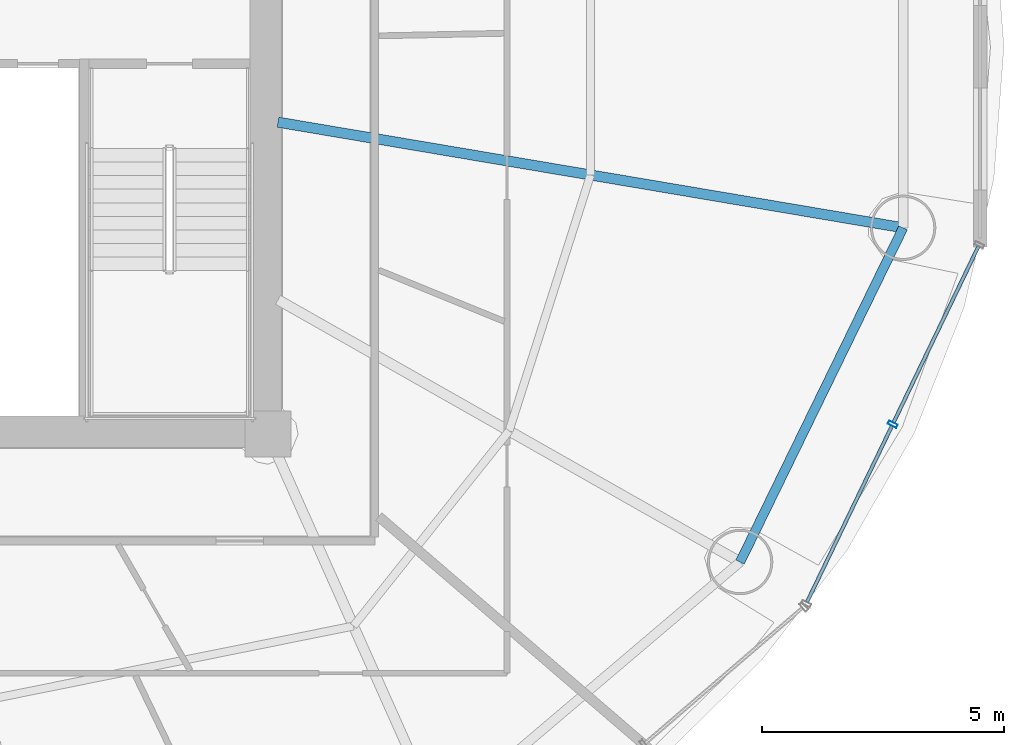
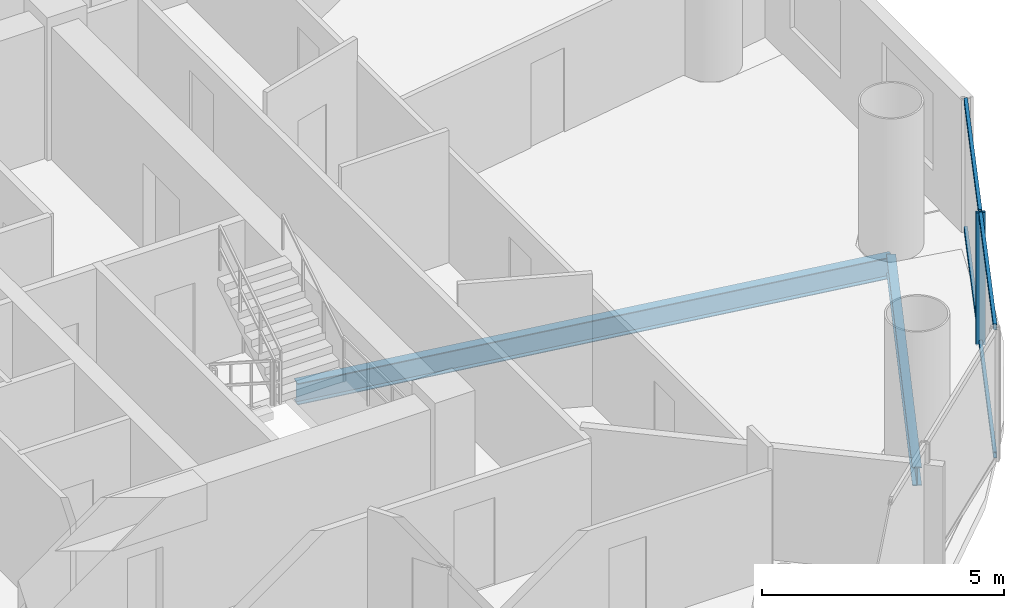
# One storey, part 11 of 27: 5 members, 2 beams, 1 element without a shape of its own.
"""IFC4 building model written with IfcOpenShell, lengths in metres."""

from ifc_helpers import new_model, si_unit, direction, frame, origin, origin_2d, place, context, subcontext, project, spatial, hollow_rectangle, i_section, extrude, source, transform, mapped, material, material_profile, profile_set, type_object, element, aggregate, save


model = new_model("IFC4")

# Units and contexts
model_context = context("Model", 3, precision=1e-05, world=origin(), true_north=direction((-0.2419218956, 0.970295726276)))
body_context = subcontext(model_context, "Body", "Model", "MODEL_VIEW")
ifc_project = project(units=[si_unit("LENGTHUNIT", "METRE"), si_unit("AREAUNIT", "SQUARE_METRE"), si_unit("VOLUMEUNIT", "CUBIC_METRE"), si_unit("PLANEANGLEUNIT", "RADIAN"), si_unit("MASSUNIT", "GRAM", prefix="KILO")], contexts=[model_context])

# Site, building, storey
site_placement = place(None, origin())
site = spatial("IfcSite", under=ifc_project, at=site_placement, CompositionType="ELEMENT")
building_placement = place(site_placement, origin())
building = spatial("IfcBuilding", under=site, at=building_placement, Name="Cobrevalo Terracotta Tower", CompositionType="ELEMENT")
storey_placement = place(building_placement, frame((0.0, 0.0, 146.199951171875)))
storey = spatial("IfcBuildingStorey", under=building, at=storey_placement, Name="L38", CompositionType="ELEMENT", Elevation=146.199951171875)

# Beams
ifc_material_1 = material(Name="Steel S355", Category="steel")
ifc_material_profile_1 = material_profile(ifc_material_1, i_section(OverallWidth=0.2109375, OverallDepth=0.5390625, WebThickness=0.01171875, FlangeThickness=0.018798828125, at=origin_2d()), Name="W 530x109")
ifc_profile_set_1 = profile_set([ifc_material_profile_1], Name="Steel S355")
beam_type_1 = type_object("IfcBeamType", Name="Structural Beam W 530x109 (Steel S355)", PredefinedType="BEAM", material=ifc_profile_set_1)
beam_1_placement = place(storey_placement, frame((60.11669921875, 23.06396484375, -0.53955078125), z_axis=(-0.986029732232, 0.166569406417, 0.0), x_axis=(-0.166569406417, -0.986029732232, 0.0)))
element("IfcBeam", 1, at=beam_1_placement, inside=storey, type_object=beam_type_1, Name="L38 radial floor girder 16", PredefinedType="BEAM", context=body_context, shape_type="SweptSolid", body=[
    extrude(i_section(OverallWidth=0.2109375, OverallDepth=0.5390625, WebThickness=0.01171875, FlangeThickness=0.018798828125, at=origin_2d()), origin(), (0.0, 0.0, 1.0), 13.094482421875),
])
ifc_material_profile_2 = material_profile(ifc_material_1, i_section(OverallWidth=0.194091796875, OverallDepth=0.468994140625, WebThickness=0.011474609375, FlangeThickness=0.0205078125, at=origin_2d()), Name="W 460x106")
ifc_profile_set_2 = profile_set([ifc_material_profile_2], Name="Steel S355")
beam_type_2 = type_object("IfcBeamType", Name="Structural Spandrel W 460x106 (Steel S355)", PredefinedType="SPANDREL", material=ifc_profile_set_2)
beam_2_placement = place(storey_placement, frame((56.749755859375, 16.160888671875, -0.50439453125), z_axis=(0.438380418332, 0.898789524206, 0.0), x_axis=(-0.898789524206, 0.438380418332, 0.0)))
element("IfcBeam", 2, at=beam_2_placement, inside=storey, type_object=beam_type_2, Name="L38 perimeter ring spandrel 15", PredefinedType="SPANDREL", context=body_context, shape_type="SweptSolid", body=[
    extrude(i_section(OverallWidth=0.194091796875, OverallDepth=0.468994140625, WebThickness=0.011474609375, FlangeThickness=0.0205078125, at=origin_2d()), origin(), (0.0, 0.0, 1.0), 7.680419921875),
])

# Curtain wall, members
ifc_material_2 = material(Name="Anodized aluminium", Category="aluminium")
curtain_wall_type = type_object("IfcCurtainWallType", Name="Mid-tower high-wind unitised curtain wall CW-U2", PredefinedType="NOTDEFINED", material=ifc_material_2)
curtain_wall_placement = place(storey_placement, origin())
curtain_wall = element("IfcCurtainWall", 3, at=curtain_wall_placement, inside=storey, type_object=curtain_wall_type, Name="L38 curtain wall CW-L38-S15", PredefinedType="NOTDEFINED")
ifc_material_profile_3 = material_profile(ifc_material_2, hollow_rectangle(XDim=0.074951171875, YDim=0.199951171875, WallThickness=0.0048828125, at=origin_2d()), Name="CWM 75x200")
ifc_profile_set_3 = profile_set([ifc_material_profile_3], Name="Anodized aluminium")
member_type_1 = type_object("IfcMemberType", Name="Lower/mid tower unitised mullion 75x200", PredefinedType="MULLION", material=ifc_profile_set_3)
shared_shape_1 = source(origin(), body_context, "Body", "SweptSolid", [
    extrude(hollow_rectangle(XDim=0.074951171875, YDim=0.199951171875, WallThickness=0.0048828125, at=origin_2d()), origin(), (0.0, 0.0, 1.0), 3.330078125),
])
member_1_placement = place(storey_placement, frame((59.901123046875, 19.00439453125, 0.0), z_axis=(0.0, 0.0, 1.0), x_axis=(0.434209440271, 0.900811945957, 0.0)))
member_1 = element("IfcMember", 4, at=member_1_placement, type_object=member_type_1, Name="CW-L38-S15 vertical mullion 02", PredefinedType="MULLION", context=body_context, shape_type="MappedRepresentation", body=[
    mapped(shared_shape_1, transform((0.0, 0.0, 0.0), scale=1.0)),
])
ifc_material_profile_4 = material_profile(ifc_material_2, hollow_rectangle(XDim=0.074951171875, YDim=0.14990234375, WallThickness=0.00439453125, at=origin_2d()), Name="CWT 75x150")
ifc_profile_set_4 = profile_set([ifc_material_profile_4], Name="Anodized aluminium")
member_type_2 = type_object("IfcMemberType", Name="Tower unitised aluminium transom 75x150", PredefinedType="USERDEFINED", material=ifc_profile_set_4)
shared_shape_2 = source(origin(), body_context, "Body", "SweptSolid", [
    extrude(hollow_rectangle(XDim=0.074951171875, YDim=0.14990234375, WallThickness=0.00439453125, at=origin_2d()), origin(), (0.0, 0.0, 1.0), 4.035888671875),
])
member_2_placement = place(storey_placement, frame((58.13134765625, 15.332763671875, 0.050048828125), z_axis=(0.434221176581, 0.900806288726, 0.0), x_axis=(-0.900806288726, 0.434221176581, 0.0)))
member_2 = element("IfcMember", 5, at=member_2_placement, type_object=member_type_2, Name="CW-L38-S15 transom B01-T1", ObjectType="TRANSOM", PredefinedType="USERDEFINED", context=body_context, shape_type="MappedRepresentation", body=[
    mapped(shared_shape_2, transform((0.0, 0.0, 0.0), scale=1.0)),
])
member_3_placement = place(storey_placement, frame((58.13134765625, 15.332763671875, 3.280029296875), z_axis=(0.434221176581, 0.900806288726, 0.0), x_axis=(-0.900806288726, 0.434221176581, 0.0)))
member_3 = element("IfcMember", 6, at=member_3_placement, type_object=member_type_2, Name="CW-L38-S15 transom B01-T2", ObjectType="TRANSOM", PredefinedType="USERDEFINED", context=body_context, shape_type="MappedRepresentation", body=[
    mapped(shared_shape_2, transform((0.0, 0.0, 0.0), scale=1.0)),
])
member_4_placement = place(storey_placement, frame((59.91845703125, 19.04052734375, 0.050048828125), z_axis=(0.434221176581, 0.900806288726, 0.0), x_axis=(-0.900806288726, 0.434221176581, 0.0)))
member_4 = element("IfcMember", 7, at=member_4_placement, type_object=member_type_2, Name="CW-L38-S15 transom B02-T1", ObjectType="TRANSOM", PredefinedType="USERDEFINED", context=body_context, shape_type="MappedRepresentation", body=[
    mapped(shared_shape_2, transform((0.0, 0.0, 0.0), scale=1.0)),
])
member_5_placement = place(storey_placement, frame((59.91845703125, 19.04052734375, 3.280029296875), z_axis=(0.434221176581, 0.900806288726, 0.0), x_axis=(-0.900806288726, 0.434221176581, 0.0)))
member_5 = element("IfcMember", 8, at=member_5_placement, type_object=member_type_2, Name="CW-L38-S15 transom B02-T2", ObjectType="TRANSOM", PredefinedType="USERDEFINED", context=body_context, shape_type="MappedRepresentation", body=[
    mapped(shared_shape_2, transform((0.0, 0.0, 0.0), scale=1.0)),
])
aggregate(curtain_wall, [member_1, member_2, member_3, member_4, member_5])

save(model, "model.ifc")
